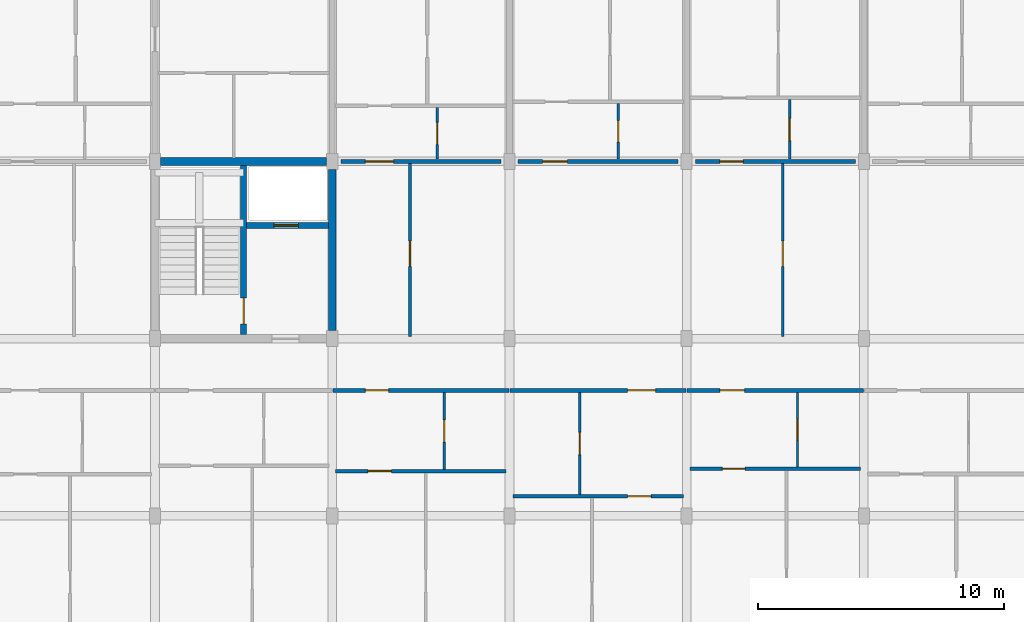
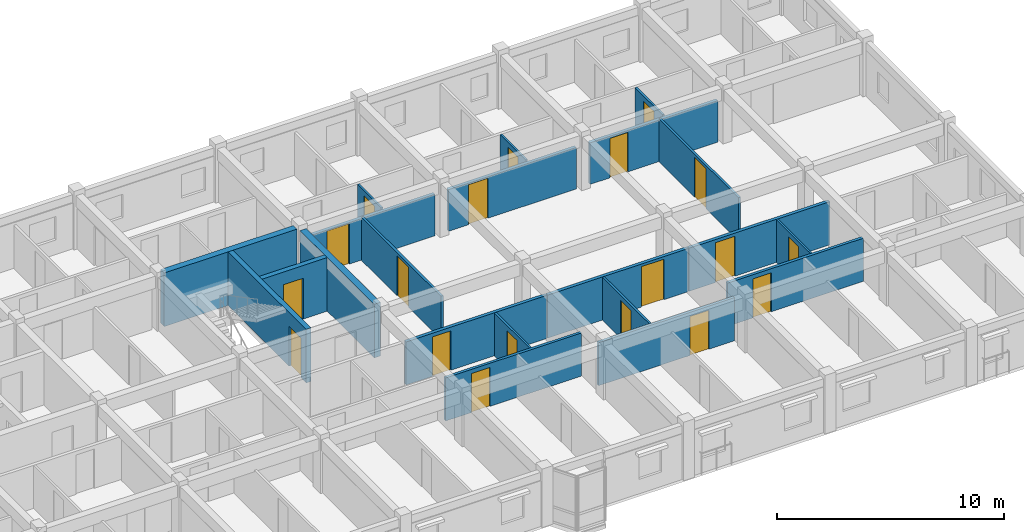
# One storey, part 68 of 79: 21 walls, 19 doors, 19 openings.
"""IFC4 building model written with IfcOpenShell, lengths in metres."""

from ifc_helpers import new_model, si_unit, direction, frame, frame_2d, origin, place, context, subcontext, project, spatial, rectangle, extrude, material, layer, layer_set, type_object, element, fill, save


model = new_model("IFC4")

# Units and contexts
model_context = context("Model", 3, precision=1e-05, world=origin(), true_north=direction((0.0, 1.0)))
body_context = subcontext(model_context, "Body", "Model", "MODEL_VIEW")
ifc_project = project(units=[si_unit("LENGTHUNIT", "METRE"), si_unit("AREAUNIT", "SQUARE_METRE"), si_unit("VOLUMEUNIT", "CUBIC_METRE"), si_unit("PLANEANGLEUNIT", "RADIAN"), si_unit("MASSUNIT", "GRAM", prefix="KILO"), si_unit("THERMODYNAMICTEMPERATUREUNIT", "KELVIN"), si_unit("POWERUNIT", "WATT")], contexts=[model_context])

# Site, building, storey
site_placement = place(None, origin())
site = spatial("IfcSite", under=ifc_project, at=site_placement, CompositionType="ELEMENT")
building_placement = place(site_placement, origin())
building = spatial("IfcBuilding", under=site, at=building_placement, Name="Tavuni Mirador Residences", CompositionType="ELEMENT")
storey_placement = place(building_placement, frame((0.0, 0.0, 13.949951171875)))
storey = spatial("IfcBuildingStorey", under=building, at=storey_placement, Name="L04", CompositionType="ELEMENT", Elevation=13.949951171875)

# Wall, opening, door
ifc_material_1 = material(Name="Precast concrete C40/50", Category="concrete")
ifc_layer_1 = layer(ifc_material_1, 0.25, Name="Precast concrete C40/50", Category="concrete")
ifc_layer_set_1 = layer_set([ifc_layer_1], Name="Precast concrete C40/50")
wall_type_1 = type_object("IfcWallType", Name="WT-COR250", PredefinedType="SHEAR", material=ifc_layer_set_1)
wall_1_placement = place(storey_placement, frame((43.199951171875, 158.56005859375, 0.0), z_axis=(0.0, 0.0, 1.0), x_axis=(0.0, 1.0, 0.0)))
wall_1 = element("IfcWall", 1, at=wall_1_placement, inside=storey, type_object=wall_type_1, Name="CWALL-C6-L04-MID", PredefinedType="SHEAR", context=body_context, shape_type="SweptSolid", body=[
    extrude(rectangle(XDim=6.8798828125, YDim=0.25, at=frame_2d((3.43994140625, 0.0))), origin(), (0.0, 0.0, 1.0), 2.885009765625),
])
opening_1_placement = place(wall_1_placement, frame((0.43994140625, 0.0, 0.0)))
opening_1 = element("IfcOpeningElement", 2, at=opening_1_placement, cuts=wall_1, Name="Opening D-01", PredefinedType="OPENING", context=body_context, shape_type="SweptSolid", body=[
    extrude(rectangle(XDim=1.050048828125, YDim=2.14990234375, at=frame_2d((0.52490234375, 1.074951171875))), frame((0.0, 0.135009765625, 0.0), z_axis=(0.0, -1.0, 0.0), x_axis=(1.0, 0.0, 0.0)), (0.0, 0.0, 1.0), 0.27001953125),
])
ifc_material_2 = material(Name="Solid core iroko timber", Category="wood")
door_type_1 = type_object("IfcDoorType", Name="DT-ST1050", OperationType="NOTDEFINED", PredefinedType="DOOR", material=ifc_material_2)
door_1_placement = place(opening_1_placement, origin())
door_1 = element("IfcDoor", 3, at=door_1_placement, inside=storey, type_object=door_type_1, Name="DR-2232", OperationType="SINGLE_SWING_RIGHT", OverallHeight=2.14990234375, OverallWidth=1.050048828125, PredefinedType="DOOR", context=body_context, shape_type="SweptSolid", body=[
    extrude(rectangle(XDim=1.050048828125, YDim=2.14990234375, at=frame_2d((0.52490234375, 1.074951171875))), frame((0.0, 0.02490234375, 0.0), z_axis=(0.0, -1.0, 0.0), x_axis=(1.0, 0.0, 0.0)), (0.0, 0.0, 1.0), 0.050048828125),
])
fill(opening_1, door_1)

wall_2_placement = place(storey_placement, frame((43.324951171875, 163.0, 0.0), z_axis=(0.0, 0.0, 1.0), x_axis=(1.0, 0.0, 0.0)))
wall_2 = element("IfcWall", 4, at=wall_2_placement, inside=storey, type_object=wall_type_1, Name="CWALL-C6-L04-SHF", PredefinedType="SHEAR", context=body_context, shape_type="SweptSolid", body=[
    extrude(rectangle(XDim=3.31494140625, YDim=0.25, at=frame_2d((1.657470703125, 0.0))), origin(), (0.0, 0.0, 1.0), 2.885009765625),
])
opening_2_placement = place(wall_2_placement, frame((1.10009765625, 0.0, 0.0)))
opening_2 = element("IfcOpeningElement", 5, at=opening_2_placement, cuts=wall_2, Name="Opening LD-02", PredefinedType="OPENING", context=body_context, shape_type="SweptSolid", body=[
    extrude(rectangle(XDim=1.0, YDim=2.199951171875, at=frame_2d((0.5, 1.10009765625))), frame((0.0, 0.135009765625, 0.0), z_axis=(0.0, -1.0, 0.0), x_axis=(1.0, 0.0, 0.0)), (0.0, 0.0, 1.0), 0.27001953125),
])
ifc_material_3 = material(Name="Structural steel S355", Category="steel")
door_type_2 = type_object("IfcDoorType", Name="DT-LD-PAX", OperationType="SLIDING_TO_LEFT", PredefinedType="DOOR", material=ifc_material_3)
door_2_placement = place(opening_2_placement, origin())
door_2 = element("IfcDoor", 6, at=door_2_placement, inside=storey, type_object=door_type_2, Name="Lift landing door PL-C1 L04", OperationType="SLIDING_TO_LEFT", OverallHeight=2.199951171875, OverallWidth=1.0, PredefinedType="DOOR", context=body_context, shape_type="SweptSolid", body=[
    extrude(rectangle(XDim=1.0, YDim=2.199951171875, at=frame_2d((0.5, 1.10009765625))), frame((0.0, 0.02490234375, 0.0), z_axis=(0.0, -1.0, 0.0), x_axis=(1.0, 0.0, 0.0)), (0.0, 0.0, 1.0), 0.050048828125),
])
fill(opening_2, door_2)

# Walls
ifc_layer_2 = layer(ifc_material_1, 0.320068359375, Name="Precast concrete C40/50", Category="concrete")
ifc_layer_set_2 = layer_set([ifc_layer_2], Name="Precast concrete C40/50")
wall_type_2 = type_object("IfcWallType", Name="WT-COR320", PredefinedType="SHEAR", material=ifc_layer_set_2)
wall_3_placement = place(storey_placement, frame((39.824951171875, 165.60009765625, 0.0), z_axis=(0.0, 0.0, 1.0), x_axis=(1.0, 0.0, 0.0)))
element("IfcWall", 7, at=wall_3_placement, inside=storey, type_object=wall_type_2, Name="CWALL-C6-L04-N", PredefinedType="SHEAR", context=body_context, shape_type="SweptSolid", body=[
    extrude(rectangle(XDim=6.75, YDim=0.320068359375, at=frame_2d((3.375, 0.0))), origin(), (0.0, 0.0, 1.0), 2.885009765625),
])
wall_4_placement = place(storey_placement, frame((46.800048828125, 158.72509765625, 0.0), z_axis=(0.0, 0.0, 1.0), x_axis=(0.0, 1.0, 0.0)))
element("IfcWall", 8, at=wall_4_placement, inside=storey, type_object=wall_type_2, Name="CWALL-C6-L04-E", PredefinedType="SHEAR", context=body_context, shape_type="SweptSolid", body=[
    extrude(rectangle(XDim=6.5498046875, YDim=0.320068359375, at=frame_2d((3.27490234375, 0.0))), origin(), (0.0, 0.0, 1.0), 2.885009765625),
])

# Wall, opening, door
ifc_layer_3 = layer(ifc_material_1, 0.1650390625, Name="Precast concrete C40/50", Category="concrete")
ifc_layer_set_3 = layer_set([ifc_layer_3], Name="Precast concrete C40/50")
wall_type_3 = type_object("IfcWallType", Name="WT-CORR165", PredefinedType="PARTITIONING", material=ifc_layer_set_3)
wall_5_placement = place(storey_placement, frame((46.820068359375, 156.300048828125, 0.0), z_axis=(0.0, 0.0, 1.0), x_axis=(1.0, 0.0, 0.0)))
wall_5 = element("IfcWall", 9, at=wall_5_placement, inside=storey, type_object=wall_type_3, Name="CORW-BLK-C-L04-0-05", PredefinedType="PARTITIONING", context=body_context, shape_type="SweptSolid", body=[
    extrude(rectangle(XDim=7.159912109375, YDim=0.1650390625, at=frame_2d((3.580078125, 0.0))), origin(), (0.0, 0.0, 1.0), 2.320068359375),
])
opening_3_placement = place(wall_5_placement, frame((1.330078125, 0.0, 0.0)))
opening_3 = element("IfcOpeningElement", 10, at=opening_3_placement, cuts=wall_5, Name="Opening D-19", PredefinedType="OPENING", context=body_context, shape_type="SweptSolid", body=[
    extrude(rectangle(XDim=0.93994140625, YDim=2.1201171875, at=frame_2d((0.469970703125, 1.06005859375))), frame((0.0, 0.092529296875, 0.0), z_axis=(0.0, -1.0, 0.0), x_axis=(1.0, 0.0, 0.0)), (0.0, 0.0, 1.0), 0.18505859375),
])
door_type_3 = type_object("IfcDoorType", Name="DT-FD60-940", OperationType="NOTDEFINED", PredefinedType="DOOR", material=ifc_material_2)
door_3_placement = place(opening_3_placement, origin())
door_3 = element("IfcDoor", 11, at=door_3_placement, inside=storey, type_object=door_type_3, Name="DR-2680", OperationType="SINGLE_SWING_LEFT", OverallHeight=2.1201171875, OverallWidth=0.93994140625, PredefinedType="DOOR", context=body_context, shape_type="SweptSolid", body=[
    extrude(rectangle(XDim=0.93994140625, YDim=2.1201171875, at=frame_2d((0.469970703125, 1.06005859375))), frame((0.0, 0.02490234375, 0.0), z_axis=(0.0, -1.0, 0.0), x_axis=(1.0, 0.0, 0.0)), (0.0, 0.0, 1.0), 0.050048828125),
])
fill(opening_3, door_3)

wall_6_placement = place(storey_placement, frame((54.02001953125, 156.300048828125, 0.0), z_axis=(0.0, 0.0, 1.0), x_axis=(1.0, 0.0, 0.0)))
wall_6 = element("IfcWall", 12, at=wall_6_placement, inside=storey, type_object=wall_type_3, Name="CORW-BLK-C-L04-0-06", PredefinedType="PARTITIONING", context=body_context, shape_type="SweptSolid", body=[
    extrude(rectangle(XDim=7.159912109375, YDim=0.1650390625, at=frame_2d((3.580078125, 0.0))), origin(), (0.0, 0.0, 1.0), 2.320068359375),
])
opening_4_placement = place(wall_6_placement, frame((4.780029296875, 0.0, 0.0)))
opening_4 = element("IfcOpeningElement", 13, at=opening_4_placement, cuts=wall_6, Name="Opening D-20", PredefinedType="OPENING", context=body_context, shape_type="SweptSolid", body=[
    extrude(rectangle(XDim=1.139892578125, YDim=2.179931640625, at=frame_2d((0.56982421875, 1.08984375))), frame((0.0, 0.092529296875, 0.0), z_axis=(0.0, -1.0, 0.0), x_axis=(1.0, 0.0, 0.0)), (0.0, 0.0, 1.0), 0.18505859375),
])
door_type_4 = type_object("IfcDoorType", Name="DT-FD60-1140", OperationType="NOTDEFINED", PredefinedType="DOOR", material=ifc_material_2)
door_4_placement = place(opening_4_placement, origin())
door_4 = element("IfcDoor", 14, at=door_4_placement, inside=storey, type_object=door_type_4, Name="DR-2681", OperationType="SINGLE_SWING_RIGHT", OverallHeight=2.179931640625, OverallWidth=1.139892578125, PredefinedType="DOOR", context=body_context, shape_type="SweptSolid", body=[
    extrude(rectangle(XDim=1.139892578125, YDim=2.179931640625, at=frame_2d((0.56982421875, 1.08984375))), frame((0.0, 0.02490234375, 0.0), z_axis=(0.0, -1.0, 0.0), x_axis=(1.0, 0.0, 0.0)), (0.0, 0.0, 1.0), 0.050048828125),
])
fill(opening_4, door_4)

wall_7_placement = place(storey_placement, frame((61.219970703125, 156.300048828125, 0.0), z_axis=(0.0, 0.0, 1.0), x_axis=(1.0, 0.0, 0.0)))
wall_7 = element("IfcWall", 15, at=wall_7_placement, inside=storey, type_object=wall_type_3, Name="CORW-BLK-C-L04-0-07", PredefinedType="PARTITIONING", context=body_context, shape_type="SweptSolid", body=[
    extrude(rectangle(XDim=7.159912109375, YDim=0.1650390625, at=frame_2d((3.580078125, 0.0))), origin(), (0.0, 0.0, 1.0), 2.320068359375),
])
opening_5_placement = place(wall_7_placement, frame((1.330078125, 0.0, 0.0)))
opening_5 = element("IfcOpeningElement", 16, at=opening_5_placement, cuts=wall_7, Name="Opening D-03", PredefinedType="OPENING", context=body_context, shape_type="SweptSolid", body=[
    extrude(rectangle(XDim=1.0, YDim=2.14990234375, at=frame_2d((0.5, 1.074951171875))), frame((0.0, 0.092529296875, 0.0), z_axis=(0.0, -1.0, 0.0), x_axis=(1.0, 0.0, 0.0)), (0.0, 0.0, 1.0), 0.18505859375),
])
door_type_5 = type_object("IfcDoorType", Name="DT-FD60-1000", OperationType="NOTDEFINED", PredefinedType="DOOR", material=ifc_material_2)
door_5_placement = place(opening_5_placement, origin())
door_5 = element("IfcDoor", 17, at=door_5_placement, inside=storey, type_object=door_type_5, Name="DR-2682", OperationType="SINGLE_SWING_LEFT", OverallHeight=2.14990234375, OverallWidth=1.0, PredefinedType="DOOR", context=body_context, shape_type="SweptSolid", body=[
    extrude(rectangle(XDim=1.0, YDim=2.14990234375, at=frame_2d((0.5, 1.074951171875))), frame((0.0, 0.02490234375, 0.0), z_axis=(0.0, -1.0, 0.0), x_axis=(1.0, 0.0, 0.0)), (0.0, 0.0, 1.0), 0.050048828125),
])
fill(opening_5, door_5)

wall_8_placement = place(storey_placement, frame((47.14990234375, 165.60009765625, 0.0), z_axis=(0.0, 0.0, 1.0), x_axis=(1.0, 0.0, 0.0)))
wall_8 = element("IfcWall", 18, at=wall_8_placement, inside=storey, type_object=wall_type_3, Name="CORW-BLK-C-L04-1-05", PredefinedType="PARTITIONING", context=body_context, shape_type="SweptSolid", body=[
    extrude(rectangle(XDim=6.5, YDim=0.1650390625, at=frame_2d((3.25, 0.0))), origin(), (0.0, 0.0, 1.0), 2.235107421875),
])
opening_6_placement = place(wall_8_placement, frame((1.0, 0.0, 0.0)))
opening_6 = element("IfcOpeningElement", 19, at=opening_6_placement, cuts=wall_8, Name="Opening D-20", PredefinedType="OPENING", context=body_context, shape_type="SweptSolid", body=[
    extrude(rectangle(XDim=1.139892578125, YDim=2.179931640625, at=frame_2d((0.56982421875, 1.08984375))), frame((0.0, 0.092529296875, 0.0), z_axis=(0.0, -1.0, 0.0), x_axis=(1.0, 0.0, 0.0)), (0.0, 0.0, 1.0), 0.18505859375),
])
door_6_placement = place(opening_6_placement, origin())
door_6 = element("IfcDoor", 20, at=door_6_placement, inside=storey, type_object=door_type_4, Name="DR-2687", OperationType="SINGLE_SWING_RIGHT", OverallHeight=2.179931640625, OverallWidth=1.139892578125, PredefinedType="DOOR", context=body_context, shape_type="SweptSolid", body=[
    extrude(rectangle(XDim=1.139892578125, YDim=2.179931640625, at=frame_2d((0.56982421875, 1.08984375))), frame((0.0, 0.02490234375, 0.0), z_axis=(0.0, -1.0, 0.0), x_axis=(1.0, 0.0, 0.0)), (0.0, 0.0, 1.0), 0.050048828125),
])
fill(opening_6, door_6)

wall_9_placement = place(storey_placement, frame((54.35009765625, 165.60009765625, 0.0), z_axis=(0.0, 0.0, 1.0), x_axis=(1.0, 0.0, 0.0)))
wall_9 = element("IfcWall", 21, at=wall_9_placement, inside=storey, type_object=wall_type_3, Name="CORW-BLK-C-L04-1-06", PredefinedType="PARTITIONING", context=body_context, shape_type="SweptSolid", body=[
    extrude(rectangle(XDim=6.5, YDim=0.1650390625, at=frame_2d((3.25, 0.0))), origin(), (0.0, 0.0, 1.0), 2.235107421875),
])
opening_7_placement = place(wall_9_placement, frame((1.0, 0.0, 0.0)))
opening_7 = element("IfcOpeningElement", 22, at=opening_7_placement, cuts=wall_9, Name="Opening D-03", PredefinedType="OPENING", context=body_context, shape_type="SweptSolid", body=[
    extrude(rectangle(XDim=1.0, YDim=2.14990234375, at=frame_2d((0.5, 1.074951171875))), frame((0.0, 0.092529296875, 0.0), z_axis=(0.0, -1.0, 0.0), x_axis=(1.0, 0.0, 0.0)), (0.0, 0.0, 1.0), 0.18505859375),
])
door_7_placement = place(opening_7_placement, origin())
door_7 = element("IfcDoor", 23, at=door_7_placement, inside=storey, type_object=door_type_5, Name="DR-2688", OperationType="SINGLE_SWING_LEFT", OverallHeight=2.14990234375, OverallWidth=1.0, PredefinedType="DOOR", context=body_context, shape_type="SweptSolid", body=[
    extrude(rectangle(XDim=1.0, YDim=2.14990234375, at=frame_2d((0.5, 1.074951171875))), frame((0.0, 0.02490234375, 0.0), z_axis=(0.0, -1.0, 0.0), x_axis=(1.0, 0.0, 0.0)), (0.0, 0.0, 1.0), 0.050048828125),
])
fill(opening_7, door_7)

wall_10_placement = place(storey_placement, frame((61.550048828125, 165.60009765625, 0.0), z_axis=(0.0, 0.0, 1.0), x_axis=(1.0, 0.0, 0.0)))
wall_10 = element("IfcWall", 24, at=wall_10_placement, inside=storey, type_object=wall_type_3, Name="CORW-BLK-C-L04-1-07", PredefinedType="PARTITIONING", context=body_context, shape_type="SweptSolid", body=[
    extrude(rectangle(XDim=6.5, YDim=0.1650390625, at=frame_2d((3.25, 0.0))), origin(), (0.0, 0.0, 1.0), 2.235107421875),
])
opening_8_placement = place(wall_10_placement, frame((1.0, 0.0, 0.0)))
opening_8 = element("IfcOpeningElement", 25, at=opening_8_placement, cuts=wall_10, Name="Opening D-19", PredefinedType="OPENING", context=body_context, shape_type="SweptSolid", body=[
    extrude(rectangle(XDim=0.93994140625, YDim=2.1201171875, at=frame_2d((0.469970703125, 1.06005859375))), frame((0.0, 0.092529296875, 0.0), z_axis=(0.0, -1.0, 0.0), x_axis=(1.0, 0.0, 0.0)), (0.0, 0.0, 1.0), 0.18505859375),
])
door_8_placement = place(opening_8_placement, origin())
door_8 = element("IfcDoor", 26, at=door_8_placement, inside=storey, type_object=door_type_3, Name="DR-2689", OperationType="SINGLE_SWING_RIGHT", OverallHeight=2.1201171875, OverallWidth=0.93994140625, PredefinedType="DOOR", context=body_context, shape_type="SweptSolid", body=[
    extrude(rectangle(XDim=0.93994140625, YDim=2.1201171875, at=frame_2d((0.469970703125, 1.06005859375))), frame((0.0, 0.02490234375, 0.0), z_axis=(0.0, -1.0, 0.0), x_axis=(1.0, 0.0, 0.0)), (0.0, 0.0, 1.0), 0.050048828125),
])
fill(opening_8, door_8)

ifc_material_4 = material(Name="Acoustic gypsum and concrete block partition", Category="concrete")
ifc_layer_4 = layer(ifc_material_4, 0.094970703125, Name="Acoustic gypsum and concrete block partition", Category="concrete")
ifc_layer_set_4 = layer_set([ifc_layer_4], Name="Acoustic gypsum and concrete block partition")
wall_type_4 = type_object("IfcWallType", Name="WT-PART095", PredefinedType="PARTITIONING", material=ifc_layer_set_4)
wall_11_placement = place(storey_placement, frame((51.06005859375, 165.68994140625, 0.0), z_axis=(0.0, 0.0, 1.0), x_axis=(0.0, 1.0, 0.0)))
wall_11 = element("IfcWall", 27, at=wall_11_placement, inside=storey, type_object=wall_type_4, Name="PW-BLK-C-L04-N05-IN1", PredefinedType="PARTITIONING", context=body_context, shape_type="SweptSolid", body=[
    extrude(rectangle(XDim=2.10009765625, YDim=0.094970703125, at=frame_2d((1.050048828125, 0.0))), origin(), (0.0, 0.0, 1.0), 2.320068359375),
])
opening_9_placement = place(wall_11_placement, frame((0.60009765625, 0.0, 0.0)))
opening_9 = element("IfcOpeningElement", 28, at=opening_9_placement, cuts=wall_11, Name="Opening D-09", PredefinedType="OPENING", context=body_context, shape_type="SweptSolid", body=[
    extrude(rectangle(XDim=0.89990234375, YDim=2.050048828125, at=frame_2d((0.449951171875, 1.02490234375))), frame((0.0, 0.0576171875, 0.0), z_axis=(0.0, -1.0, 0.0), x_axis=(1.0, 0.0, 0.0)), (0.0, 0.0, 1.0), 0.114990234375),
])
door_type_6 = type_object("IfcDoorType", Name="DT-WC900", OperationType="NOTDEFINED", PredefinedType="DOOR", material=ifc_material_2)
door_9_placement = place(opening_9_placement, origin())
door_9 = element("IfcDoor", 29, at=door_9_placement, inside=storey, type_object=door_type_6, Name="DR-3885", OperationType="SINGLE_SWING_LEFT", OverallHeight=2.050048828125, OverallWidth=0.89990234375, PredefinedType="DOOR", context=body_context, shape_type="SweptSolid", body=[
    extrude(rectangle(XDim=0.89990234375, YDim=2.050048828125, at=frame_2d((0.449951171875, 1.02490234375))), frame((0.0, 0.02490234375, 0.0), z_axis=(0.0, -1.0, 0.0), x_axis=(1.0, 0.0, 0.0)), (0.0, 0.0, 1.0), 0.050048828125),
])
fill(opening_9, door_9)

wall_12_placement = place(storey_placement, frame((58.419921875, 165.68994140625, 0.0), z_axis=(0.0, 0.0, 1.0), x_axis=(0.0, 1.0, 0.0)))
wall_12 = element("IfcWall", 30, at=wall_12_placement, inside=storey, type_object=wall_type_4, Name="PW-BLK-C-L04-N06-IN1", PredefinedType="PARTITIONING", context=body_context, shape_type="SweptSolid", body=[
    extrude(rectangle(XDim=2.260009765625, YDim=0.094970703125, at=frame_2d((1.1298828125, 0.0))), origin(), (0.0, 0.0, 1.0), 2.320068359375),
])
opening_10_placement = place(wall_12_placement, frame((0.695068359375, 0.0, 0.0)))
opening_10 = element("IfcOpeningElement", 31, at=opening_10_placement, cuts=wall_12, Name="Opening D-10", PredefinedType="OPENING", context=body_context, shape_type="SweptSolid", body=[
    extrude(rectangle(XDim=0.8701171875, YDim=2.050048828125, at=frame_2d((0.43505859375, 1.02490234375))), frame((0.0, 0.0576171875, 0.0), z_axis=(0.0, -1.0, 0.0), x_axis=(1.0, 0.0, 0.0)), (0.0, 0.0, 1.0), 0.114990234375),
])
door_type_7 = type_object("IfcDoorType", Name="DT-WC870", OperationType="NOTDEFINED", PredefinedType="DOOR", material=ifc_material_2)
door_10_placement = place(opening_10_placement, origin())
door_10 = element("IfcDoor", 32, at=door_10_placement, inside=storey, type_object=door_type_7, Name="DR-3891", OperationType="SINGLE_SWING_RIGHT", OverallHeight=2.050048828125, OverallWidth=0.8701171875, PredefinedType="DOOR", context=body_context, shape_type="SweptSolid", body=[
    extrude(rectangle(XDim=0.8701171875, YDim=2.050048828125, at=frame_2d((0.43505859375, 1.02490234375))), frame((0.0, 0.02490234375, 0.0), z_axis=(0.0, -1.0, 0.0), x_axis=(1.0, 0.0, 0.0)), (0.0, 0.0, 1.0), 0.050048828125),
])
fill(opening_10, door_10)

wall_13_placement = place(storey_placement, frame((65.699951171875, 153.18994140625, 0.0), z_axis=(0.0, 0.0, 1.0), x_axis=(0.0, 1.0, 0.0)))
wall_13 = element("IfcWall", 33, at=wall_13_placement, inside=storey, type_object=wall_type_4, Name="PW-BLK-C-L04-S07-IN1", PredefinedType="PARTITIONING", context=body_context, shape_type="SweptSolid", body=[
    extrude(rectangle(XDim=3.02001953125, YDim=0.094970703125, at=frame_2d((1.510009765625, 0.0))), origin(), (0.0, 0.0, 1.0), 2.320068359375),
])
opening_11_placement = place(wall_13_placement, frame((1.074951171875, 0.0, 0.0)))
opening_11 = element("IfcOpeningElement", 34, at=opening_11_placement, cuts=wall_13, Name="Opening D-10", PredefinedType="OPENING", context=body_context, shape_type="SweptSolid", body=[
    extrude(rectangle(XDim=0.8701171875, YDim=2.050048828125, at=frame_2d((0.43505859375, 1.02490234375))), frame((0.0, 0.0576171875, 0.0), z_axis=(0.0, -1.0, 0.0), x_axis=(1.0, 0.0, 0.0)), (0.0, 0.0, 1.0), 0.114990234375),
])
door_11_placement = place(opening_11_placement, origin())
door_11 = element("IfcDoor", 35, at=door_11_placement, inside=storey, type_object=door_type_7, Name="DR-3895", OperationType="SINGLE_SWING_RIGHT", OverallHeight=2.050048828125, OverallWidth=0.8701171875, PredefinedType="DOOR", context=body_context, shape_type="SweptSolid", body=[
    extrude(rectangle(XDim=0.8701171875, YDim=2.050048828125, at=frame_2d((0.43505859375, 1.02490234375))), frame((0.0, 0.02490234375, 0.0), z_axis=(0.0, -1.0, 0.0), x_axis=(1.0, 0.0, 0.0)), (0.0, 0.0, 1.0), 0.050048828125),
])
fill(opening_11, door_11)

ifc_layer_5 = layer(ifc_material_4, 0.10498046875, Name="Acoustic gypsum and concrete block partition", Category="concrete")
ifc_layer_set_5 = layer_set([ifc_layer_5], Name="Acoustic gypsum and concrete block partition")
wall_type_5 = type_object("IfcWallType", Name="WT-PART105", PredefinedType="PARTITIONING", material=ifc_layer_set_5)
wall_14_placement = place(storey_placement, frame((51.35009765625, 153.090087890625, 0.0), z_axis=(0.0, 0.0, 1.0), x_axis=(0.0, 1.0, 0.0)))
wall_14 = element("IfcWall", 36, at=wall_14_placement, inside=storey, type_object=wall_type_5, Name="PW-BLK-C-L04-S05-IN1", PredefinedType="PARTITIONING", context=body_context, shape_type="SweptSolid", body=[
    extrude(rectangle(XDim=3.119873046875, YDim=0.10498046875, at=frame_2d((1.56005859375, 0.0))), origin(), (0.0, 0.0, 1.0), 2.320068359375),
])
opening_12_placement = place(wall_14_placement, frame((1.110107421875, 0.0, 0.0)))
opening_12 = element("IfcOpeningElement", 37, at=opening_12_placement, cuts=wall_14, Name="Opening D-09", PredefinedType="OPENING", context=body_context, shape_type="SweptSolid", body=[
    extrude(rectangle(XDim=0.89990234375, YDim=2.050048828125, at=frame_2d((0.449951171875, 1.02490234375))), frame((0.0, 0.0625, 0.0), z_axis=(0.0, -1.0, 0.0), x_axis=(1.0, 0.0, 0.0)), (0.0, 0.0, 1.0), 0.125),
])
door_12_placement = place(opening_12_placement, origin())
door_12 = element("IfcDoor", 38, at=door_12_placement, inside=storey, type_object=door_type_6, Name="DR-3882", OperationType="SINGLE_SWING_LEFT", OverallHeight=2.050048828125, OverallWidth=0.89990234375, PredefinedType="DOOR", context=body_context, shape_type="SweptSolid", body=[
    extrude(rectangle(XDim=0.89990234375, YDim=2.050048828125, at=frame_2d((0.449951171875, 1.02490234375))), frame((0.0, 0.02490234375, 0.0), z_axis=(0.0, -1.0, 0.0), x_axis=(1.0, 0.0, 0.0)), (0.0, 0.0, 1.0), 0.050048828125),
])
fill(opening_12, door_12)

wall_15_placement = place(storey_placement, frame((56.85009765625, 152.070068359375, 0.0), z_axis=(0.0, 0.0, 1.0), x_axis=(0.0, 1.0, 0.0)))
wall_15 = element("IfcWall", 39, at=wall_15_placement, inside=storey, type_object=wall_type_5, Name="PW-BLK-C-L04-S06-IN1", PredefinedType="PARTITIONING", context=body_context, shape_type="SweptSolid", body=[
    extrude(rectangle(XDim=4.139892578125, YDim=0.10498046875, at=frame_2d((2.06982421875, 0.0))), origin(), (0.0, 0.0, 1.0), 2.320068359375),
])
opening_13_placement = place(wall_15_placement, frame((1.6201171875, 0.0, 0.0)))
opening_13 = element("IfcOpeningElement", 40, at=opening_13_placement, cuts=wall_15, Name="Opening D-09", PredefinedType="OPENING", context=body_context, shape_type="SweptSolid", body=[
    extrude(rectangle(XDim=0.89990234375, YDim=2.050048828125, at=frame_2d((0.449951171875, 1.02490234375))), frame((0.0, 0.0625, 0.0), z_axis=(0.0, -1.0, 0.0), x_axis=(1.0, 0.0, 0.0)), (0.0, 0.0, 1.0), 0.125),
])
door_13_placement = place(opening_13_placement, origin())
door_13 = element("IfcDoor", 41, at=door_13_placement, inside=storey, type_object=door_type_6, Name="DR-3888", OperationType="SINGLE_SWING_LEFT", OverallHeight=2.050048828125, OverallWidth=0.89990234375, PredefinedType="DOOR", context=body_context, shape_type="SweptSolid", body=[
    extrude(rectangle(XDim=0.89990234375, YDim=2.050048828125, at=frame_2d((0.449951171875, 1.02490234375))), frame((0.0, 0.02490234375, 0.0), z_axis=(0.0, -1.0, 0.0), x_axis=(1.0, 0.0, 0.0)), (0.0, 0.0, 1.0), 0.050048828125),
])
fill(opening_13, door_13)

wall_16_placement = place(storey_placement, frame((65.3798828125, 165.68994140625, 0.0), z_axis=(0.0, 0.0, 1.0), x_axis=(0.0, 1.0, 0.0)))
wall_16 = element("IfcWall", 42, at=wall_16_placement, inside=storey, type_object=wall_type_5, Name="PW-BLK-C-L04-N07-IN1", PredefinedType="PARTITIONING", context=body_context, shape_type="SweptSolid", body=[
    extrude(rectangle(XDim=2.420166015625, YDim=0.10498046875, at=frame_2d((1.2099609375, 0.0))), origin(), (0.0, 0.0, 1.0), 2.320068359375),
])
opening_14_placement = place(wall_16_placement, frame((0.760009765625, 0.0, 0.0)))
opening_14 = element("IfcOpeningElement", 43, at=opening_14_placement, cuts=wall_16, Name="Opening D-09", PredefinedType="OPENING", context=body_context, shape_type="SweptSolid", body=[
    extrude(rectangle(XDim=0.89990234375, YDim=2.050048828125, at=frame_2d((0.449951171875, 1.02490234375))), frame((0.0, 0.0625, 0.0), z_axis=(0.0, -1.0, 0.0), x_axis=(1.0, 0.0, 0.0)), (0.0, 0.0, 1.0), 0.125),
])
door_14_placement = place(opening_14_placement, origin())
door_14 = element("IfcDoor", 44, at=door_14_placement, inside=storey, type_object=door_type_6, Name="DR-3898", OperationType="SINGLE_SWING_LEFT", OverallHeight=2.050048828125, OverallWidth=0.89990234375, PredefinedType="DOOR", context=body_context, shape_type="SweptSolid", body=[
    extrude(rectangle(XDim=0.89990234375, YDim=2.050048828125, at=frame_2d((0.449951171875, 1.02490234375))), frame((0.0, 0.02490234375, 0.0), z_axis=(0.0, -1.0, 0.0), x_axis=(1.0, 0.0, 0.0)), (0.0, 0.0, 1.0), 0.050048828125),
])
fill(opening_14, door_14)

ifc_layer_6 = layer(ifc_material_4, 0.114990234375, Name="Acoustic gypsum and concrete block partition", Category="concrete")
ifc_layer_set_6 = layer_set([ifc_layer_6], Name="Acoustic gypsum and concrete block partition")
wall_type_6 = type_object("IfcWallType", Name="WT-PART115", PredefinedType="PARTITIONING", material=ifc_layer_set_6)
wall_17_placement = place(storey_placement, frame((65.10009765625, 158.489990234375, 0.0), z_axis=(0.0, 0.0, 1.0), x_axis=(0.0, 1.0, 0.0)))
wall_17 = element("IfcWall", 45, at=wall_17_placement, inside=storey, type_object=wall_type_6, Name="PW-SPN-BLK-C-L04-07", PredefinedType="PARTITIONING", context=body_context, shape_type="SweptSolid", body=[
    extrude(rectangle(XDim=7.02001953125, YDim=0.114990234375, at=frame_2d((3.510009765625, 0.0))), origin(), (0.0, 0.0, 1.0), 2.320068359375),
])
opening_15_placement = place(wall_17_placement, frame((2.85009765625, 0.0, 0.0)))
opening_15 = element("IfcOpeningElement", 46, at=opening_15_placement, cuts=wall_17, Name="Opening D-13", PredefinedType="OPENING", context=body_context, shape_type="SweptSolid", body=[
    extrude(rectangle(XDim=1.02001953125, YDim=2.14990234375, at=frame_2d((0.510009765625, 1.074951171875))), frame((0.0, 0.0673828125, 0.0), z_axis=(0.0, -1.0, 0.0), x_axis=(1.0, 0.0, 0.0)), (0.0, 0.0, 1.0), 0.135009765625),
])
door_type_8 = type_object("IfcDoorType", Name="DT-MTG1020", OperationType="NOTDEFINED", PredefinedType="DOOR", material=ifc_material_2)
door_15_placement = place(opening_15_placement, origin())
door_15 = element("IfcDoor", 47, at=door_15_placement, inside=storey, type_object=door_type_8, Name="DR-3893", OperationType="SINGLE_SWING_RIGHT", OverallHeight=2.14990234375, OverallWidth=1.02001953125, PredefinedType="DOOR", context=body_context, shape_type="SweptSolid", body=[
    extrude(rectangle(XDim=1.02001953125, YDim=2.14990234375, at=frame_2d((0.510009765625, 1.074951171875))), frame((0.0, 0.02490234375, 0.0), z_axis=(0.0, -1.0, 0.0), x_axis=(1.0, 0.0, 0.0)), (0.0, 0.0, 1.0), 0.050048828125),
])
fill(opening_15, door_15)

ifc_layer_7 = layer(ifc_material_4, 0.125, Name="Acoustic gypsum and concrete block partition", Category="concrete")
ifc_layer_set_7 = layer_set([ifc_layer_7], Name="Acoustic gypsum and concrete block partition")
wall_type_7 = type_object("IfcWallType", Name="WT-PART125", PredefinedType="PARTITIONING", material=ifc_layer_set_7)
wall_18_placement = place(storey_placement, frame((49.9599609375, 158.489990234375, 0.0), z_axis=(0.0, 0.0, 1.0), x_axis=(0.0, 1.0, 0.0)))
wall_18 = element("IfcWall", 48, at=wall_18_placement, inside=storey, type_object=wall_type_7, Name="PW-SPN-BLK-C-L04-05", PredefinedType="PARTITIONING", context=body_context, shape_type="SweptSolid", body=[
    extrude(rectangle(XDim=7.02001953125, YDim=0.125, at=frame_2d((3.510009765625, 0.0))), origin(), (0.0, 0.0, 1.0), 2.320068359375),
])
opening_16_placement = place(wall_18_placement, frame((2.85009765625, 0.0, 0.0)))
opening_16 = element("IfcOpeningElement", 49, at=opening_16_placement, cuts=wall_18, Name="Opening D-13", PredefinedType="OPENING", context=body_context, shape_type="SweptSolid", body=[
    extrude(rectangle(XDim=1.02001953125, YDim=2.14990234375, at=frame_2d((0.510009765625, 1.074951171875))), frame((0.0, 0.072509765625, 0.0), z_axis=(0.0, -1.0, 0.0), x_axis=(1.0, 0.0, 0.0)), (0.0, 0.0, 1.0), 0.14501953125),
])
door_16_placement = place(opening_16_placement, origin())
door_16 = element("IfcDoor", 50, at=door_16_placement, inside=storey, type_object=door_type_8, Name="DR-3880", OperationType="SINGLE_SWING_RIGHT", OverallHeight=2.14990234375, OverallWidth=1.02001953125, PredefinedType="DOOR", context=body_context, shape_type="SweptSolid", body=[
    extrude(rectangle(XDim=1.02001953125, YDim=2.14990234375, at=frame_2d((0.510009765625, 1.074951171875))), frame((0.0, 0.02490234375, 0.0), z_axis=(0.0, -1.0, 0.0), x_axis=(1.0, 0.0, 0.0)), (0.0, 0.0, 1.0), 0.050048828125),
])
fill(opening_16, door_16)

ifc_layer_8 = layer(ifc_material_4, 0.139892578125, Name="Acoustic gypsum and concrete block partition", Category="concrete")
ifc_layer_set_8 = layer_set([ifc_layer_8], Name="Acoustic gypsum and concrete block partition")
wall_type_8 = type_object("IfcWallType", Name="WT-PART140", PredefinedType="PARTITIONING", material=ifc_layer_set_8)
wall_19_placement = place(storey_placement, frame((46.93994140625, 153.02001953125, 0.0), z_axis=(0.0, 0.0, 1.0), x_axis=(1.0, 0.0, 0.0)))
wall_19 = element("IfcWall", 51, at=wall_19_placement, inside=storey, type_object=wall_type_8, Name="PW-BLK-C-L04-S05-MID", PredefinedType="PARTITIONING", context=body_context, shape_type="SweptSolid", body=[
    extrude(rectangle(XDim=6.920166015625, YDim=0.139892578125, at=frame_2d((3.4599609375, 0.0))), origin(), (0.0, 0.0, 1.0), 2.320068359375),
])
opening_17_placement = place(wall_19_placement, frame((1.31005859375, 0.0, 0.0)))
opening_17 = element("IfcOpeningElement", 52, at=opening_17_placement, cuts=wall_19, Name="Opening D-05", PredefinedType="OPENING", context=body_context, shape_type="SweptSolid", body=[
    extrude(rectangle(XDim=0.949951171875, YDim=2.10009765625, at=frame_2d((0.47509765625, 1.050048828125))), frame((0.0, 0.080078125, 0.0), z_axis=(0.0, -1.0, 0.0), x_axis=(1.0, 0.0, 0.0)), (0.0, 0.0, 1.0), 0.159912109375),
])
door_type_9 = type_object("IfcDoorType", Name="DT-INT950", OperationType="NOTDEFINED", PredefinedType="DOOR", material=ifc_material_2)
door_17_placement = place(opening_17_placement, origin())
door_17 = element("IfcDoor", 53, at=door_17_placement, inside=storey, type_object=door_type_9, Name="DR-3883", OperationType="SINGLE_SWING_LEFT", OverallHeight=2.10009765625, OverallWidth=0.949951171875, PredefinedType="DOOR", context=body_context, shape_type="SweptSolid", body=[
    extrude(rectangle(XDim=0.949951171875, YDim=2.10009765625, at=frame_2d((0.47509765625, 1.050048828125))), frame((0.0, 0.02490234375, 0.0), z_axis=(0.0, -1.0, 0.0), x_axis=(1.0, 0.0, 0.0)), (0.0, 0.0, 1.0), 0.050048828125),
])
fill(opening_17, door_17)

wall_20_placement = place(storey_placement, frame((54.139892578125, 152.0, 0.0), z_axis=(0.0, 0.0, 1.0), x_axis=(1.0, 0.0, 0.0)))
wall_20 = element("IfcWall", 54, at=wall_20_placement, inside=storey, type_object=wall_type_8, Name="PW-BLK-C-L04-S06-MID", PredefinedType="PARTITIONING", context=body_context, shape_type="SweptSolid", body=[
    extrude(rectangle(XDim=6.920166015625, YDim=0.139892578125, at=frame_2d((3.4599609375, 0.0))), origin(), (0.0, 0.0, 1.0), 2.320068359375),
])
opening_18_placement = place(wall_20_placement, frame((4.659912109375, 0.0, 0.0)))
opening_18 = element("IfcOpeningElement", 55, at=opening_18_placement, cuts=wall_20, Name="Opening D-05", PredefinedType="OPENING", context=body_context, shape_type="SweptSolid", body=[
    extrude(rectangle(XDim=0.949951171875, YDim=2.10009765625, at=frame_2d((0.47509765625, 1.050048828125))), frame((0.0, 0.080078125, 0.0), z_axis=(0.0, -1.0, 0.0), x_axis=(1.0, 0.0, 0.0)), (0.0, 0.0, 1.0), 0.159912109375),
])
door_18_placement = place(opening_18_placement, origin())
door_18 = element("IfcDoor", 56, at=door_18_placement, inside=storey, type_object=door_type_9, Name="DR-3889", OperationType="SINGLE_SWING_LEFT", OverallHeight=2.10009765625, OverallWidth=0.949951171875, PredefinedType="DOOR", context=body_context, shape_type="SweptSolid", body=[
    extrude(rectangle(XDim=0.949951171875, YDim=2.10009765625, at=frame_2d((0.47509765625, 1.050048828125))), frame((0.0, 0.02490234375, 0.0), z_axis=(0.0, -1.0, 0.0), x_axis=(1.0, 0.0, 0.0)), (0.0, 0.0, 1.0), 0.050048828125),
])
fill(opening_18, door_18)

ifc_layer_9 = layer(ifc_material_4, 0.14990234375, Name="Acoustic gypsum and concrete block partition", Category="concrete")
ifc_layer_set_9 = layer_set([ifc_layer_9], Name="Acoustic gypsum and concrete block partition")
wall_type_9 = type_object("IfcWallType", Name="WT-PART150", PredefinedType="PARTITIONING", material=ifc_layer_set_9)
wall_21_placement = place(storey_placement, frame((61.340087890625, 153.1201171875, 0.0), z_axis=(0.0, 0.0, 1.0), x_axis=(1.0, 0.0, 0.0)))
wall_21 = element("IfcWall", 57, at=wall_21_placement, inside=storey, type_object=wall_type_9, Name="PW-BLK-C-L04-S07-MID", PredefinedType="PARTITIONING", context=body_context, shape_type="SweptSolid", body=[
    extrude(rectangle(XDim=6.919921875, YDim=0.14990234375, at=frame_2d((3.4599609375, 0.0))), origin(), (0.0, 0.0, 1.0), 2.320068359375),
])
opening_19_placement = place(wall_21_placement, frame((1.31005859375, 0.0, 0.0)))
opening_19 = element("IfcOpeningElement", 58, at=opening_19_placement, cuts=wall_21, Name="Opening D-06", PredefinedType="OPENING", context=body_context, shape_type="SweptSolid", body=[
    extrude(rectangle(XDim=0.919921875, YDim=2.10009765625, at=frame_2d((0.4599609375, 1.050048828125))), frame((0.0, 0.0849609375, 0.0), z_axis=(0.0, -1.0, 0.0), x_axis=(1.0, 0.0, 0.0)), (0.0, 0.0, 1.0), 0.169921875),
])
door_type_10 = type_object("IfcDoorType", Name="DT-INT920", OperationType="NOTDEFINED", PredefinedType="DOOR", material=ifc_material_2)
door_19_placement = place(opening_19_placement, origin())
door_19 = element("IfcDoor", 59, at=door_19_placement, inside=storey, type_object=door_type_10, Name="DR-3896", OperationType="SINGLE_SWING_RIGHT", OverallHeight=2.10009765625, OverallWidth=0.919921875, PredefinedType="DOOR", context=body_context, shape_type="SweptSolid", body=[
    extrude(rectangle(XDim=0.919921875, YDim=2.10009765625, at=frame_2d((0.4599609375, 1.050048828125))), frame((0.0, 0.02490234375, 0.0), z_axis=(0.0, -1.0, 0.0), x_axis=(1.0, 0.0, 0.0)), (0.0, 0.0, 1.0), 0.050048828125),
])
fill(opening_19, door_19)

save(model, "model.ifc")
